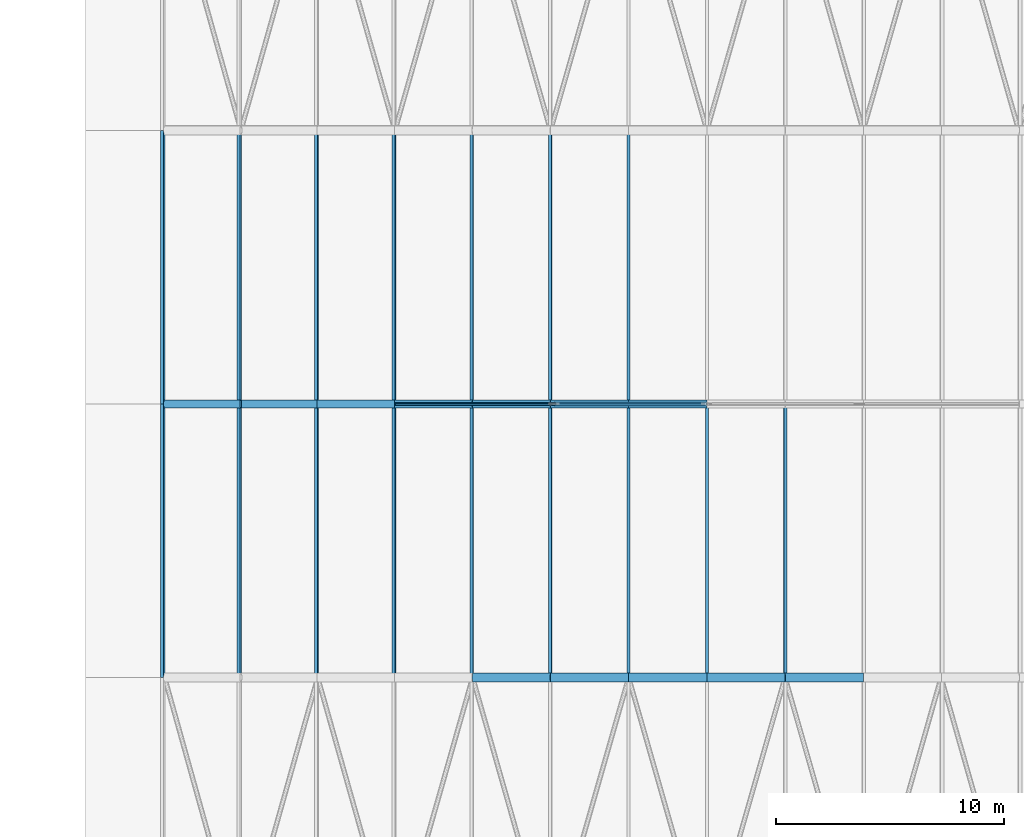
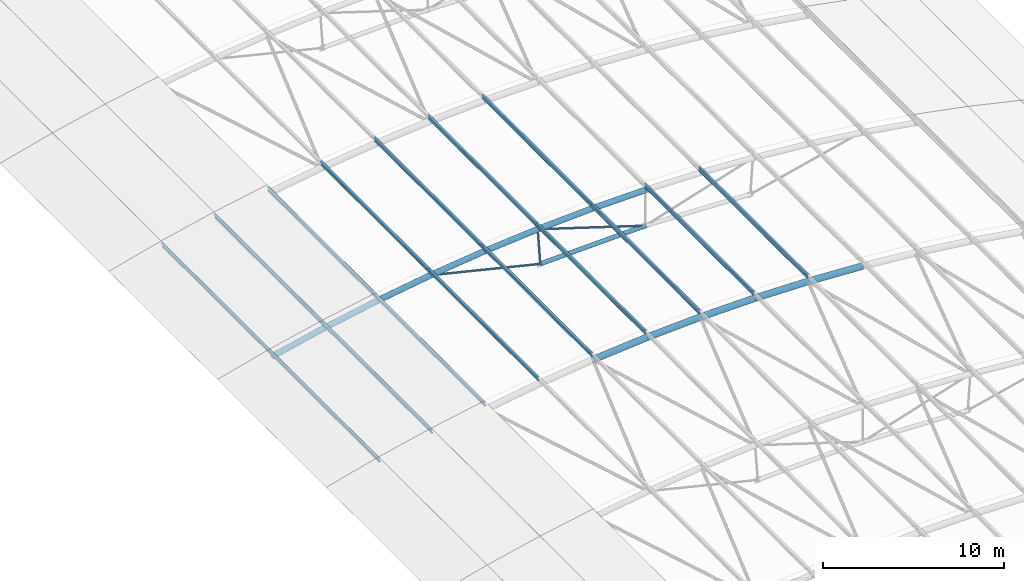
# One storey, part 14 of 91: 32 members.
"""IFC4 building model written with IfcOpenShell, lengths in metres."""

from ifc_helpers import new_model, si_unit, direction, frame, origin, origin_2d, place, context, subcontext, project, spatial, hollow_circle, i_section, extrude, material, material_profile, profile_set, type_object, element, save


model = new_model("IFC4")

# Units and contexts
model_context = context("Model", 3, precision=1e-05, world=origin(), true_north=direction((0.0, 1.0)))
body_context = subcontext(model_context, "Body", "Model", "MODEL_VIEW")
ifc_project = project(units=[si_unit("LENGTHUNIT", "METRE"), si_unit("AREAUNIT", "SQUARE_METRE"), si_unit("VOLUMEUNIT", "CUBIC_METRE"), si_unit("PLANEANGLEUNIT", "RADIAN"), si_unit("MASSUNIT", "GRAM", prefix="KILO")], contexts=[model_context])

# Site, building, storey
site_placement = place(None, origin())
site = spatial("IfcSite", under=ifc_project, at=site_placement, CompositionType="ELEMENT")
building_placement = place(site_placement, origin())
building = spatial("IfcBuilding", under=site, at=building_placement, Name="Ravi Spectrum Wholesale Market", CompositionType="ELEMENT")
storey_placement = place(building_placement, frame((0.0, 0.0, 16.199951171875)))
storey = spatial("IfcBuildingStorey", under=building, at=storey_placement, Name="ROOF PLANT LEVEL", CompositionType="ELEMENT", Elevation=16.199951171875)

# Members
ifc_material_1 = material(Name="Steel S355", Category="steel")
ifc_material_profile_1 = material_profile(ifc_material_1, hollow_circle(Radius=0.06982421875, WallThickness=0.0048828125, at=origin_2d()))
ifc_profile_set_1 = profile_set([ifc_material_profile_1], Name="Steel S355")
member_type_1 = type_object("IfcMemberType", Name="CHS 139.7x5 brace", PredefinedType="BRACE", material=ifc_profile_set_1)
member_1_placement = place(storey_placement, frame((56.318115234375, 138.0, 2.079833984375), z_axis=(0.97214359809, 0.0, -0.234386059083), x_axis=(0.0, 1.0, 0.0)))
element("IfcMember", 1, at=member_1_placement, inside=storey, type_object=member_type_1, Name="H1-MB-L02-798", PredefinedType="BRACE", context=body_context, shape_type="SweptSolid", body=[
    extrude(hollow_circle(Radius=0.06982421875, WallThickness=0.0048828125, at=origin_2d()), origin(), (0.0, 0.0, 1.0), 7.190185546875),
])
member_2_placement = place(storey_placement, frame((63.142822265625, 138.0, 2.788818359375), z_axis=(0.953666273238, 0.0, -0.300866480833), x_axis=(0.0, 1.0, 0.0)))
element("IfcMember", 2, at=member_2_placement, inside=storey, type_object=member_type_1, Name="H1-MB-L02-799", PredefinedType="BRACE", context=body_context, shape_type="SweptSolid", body=[
    extrude(hollow_circle(Radius=0.06982421875, WallThickness=0.0048828125, at=origin_2d()), origin(), (0.0, 0.0, 1.0), 7.1904296875),
])
ifc_material_2 = material(Name="Steel S355", Category="steel")
ifc_material_profile_2 = material_profile(ifc_material_2, hollow_circle(Radius=0.06982421875, WallThickness=0.0048828125, at=origin_2d()))
ifc_profile_set_2 = profile_set([ifc_material_profile_2], Name="Steel S355")
member_type_2 = type_object("IfcMemberType", Name="CHS 139.7x5 post", PredefinedType="POST", material=ifc_profile_set_2)
member_3_placement = place(storey_placement, frame((63.142822265625, 138.0, 2.788818359375), z_axis=(0.068868423963, 0.0, -0.997625751563), x_axis=(0.0, 1.0, 0.0)))
element("IfcMember", 3, at=member_3_placement, inside=storey, type_object=member_type_2, Name="H1-MB-L02-788", PredefinedType="POST", context=body_context, shape_type="SweptSolid", body=[
    extrude(hollow_circle(Radius=0.06982421875, WallThickness=0.0048828125, at=origin_2d()), origin(), (0.0, 0.0, 1.0), 2.39990234375),
])
ifc_material_3 = material(Name="Steel S355", Category="steel")
ifc_material_profile_3 = material_profile(ifc_material_3, hollow_circle(Radius=0.136474609375, WallThickness=0.010009765625, at=origin_2d()))
ifc_profile_set_3 = profile_set([ifc_material_profile_3], Name="Steel S355")
member_type_3 = type_object("IfcMemberType", Name="CHS 273x10 chord", PredefinedType="CHORD", material=ifc_profile_set_3)
member_4_placement = place(storey_placement, frame((63.30810546875, 138.0, 0.39453125), z_axis=(0.999404959621, 0.0, 0.034492414878), x_axis=(0.0, 1.0, 0.0)))
element("IfcMember", 4, at=member_4_placement, inside=storey, type_object=member_type_3, Name="H1-MB-L02-777", PredefinedType="CHORD", context=body_context, shape_type="SweptSolid", body=[
    extrude(hollow_circle(Radius=0.136474609375, WallThickness=0.010009765625, at=origin_2d()), origin(), (0.0, 0.0, 1.0), 6.69580078125),
])
ifc_material_4 = material(Name="Steel S355", Category="steel")
ifc_material_profile_4 = material_profile(ifc_material_4, hollow_circle(Radius=0.177734375, WallThickness=0.012451171875, at=origin_2d()))
ifc_profile_set_4 = profile_set([ifc_material_profile_4], Name="Steel S355")
member_type_4 = type_object("IfcMemberType", Name="CHS 355.6x12.5 chord", PredefinedType="CHORD", material=ifc_profile_set_4)
member_5_placement = place(storey_placement, frame((46.213134765625, 138.0, 0.13916015625), z_axis=(0.974952916083, 0.0, 0.222411356322), x_axis=(0.0, 1.0, 0.0)))
element("IfcMember", 5, at=member_5_placement, inside=storey, type_object=member_type_4, Name="H1-MB-L02-753", PredefinedType="CHORD", context=body_context, shape_type="SweptSolid", body=[
    extrude(hollow_circle(Radius=0.177734375, WallThickness=0.012451171875, at=origin_2d()), origin(), (0.0, 0.0, 1.0), 3.431396484375),
])
for number, where, z_axis, x_axis, name in (
    (6, (49.55859375, 138.0, 0.90234375), (0.982062230733, 0.0, 0.188557086759), (0.0, 1.0, 0.0), "H1-MB-L02-754"),
    (7, (52.92822265625, 138.0, 1.54931640625), (0.987974358509, 0.0, 0.154617809221), (0.0, 1.0, 0.0), "H1-MB-L02-755"),
    (8, (56.318115234375, 138.0, 2.079833984375), (0.992718062095, 0.0, 0.120460986176), (0.0, 1.0, 0.0), "H1-MB-L02-756"),
    (9, (59.724365234375, 138.0, 2.4931640625), (0.996280795756, 0.0, 0.086165979407), (0.0, 1.0, 0.0), "H1-MB-L02-757"),
    (10, (63.142822265625, 138.0, 2.788818359375), (0.998661121681, 0.0, 0.051729721087), (0.0, 1.0, 0.0), "H1-MB-L02-758"),
    (11, (66.5693359375, 138.0, 2.96630859375), (0.99985173868, 0.0, 0.017219194475), (0.0, 1.0, 0.0), "H1-MB-L02-759"),
):
    element("IfcMember", number, at=place(storey_placement, frame(where, z_axis=z_axis, x_axis=x_axis)), inside=storey, type_object=member_type_4, Name=name, PredefinedType="CHORD", context=body_context, shape_type="SweptSolid", body=[
        extrude(hollow_circle(Radius=0.177734375, WallThickness=0.012451171875, at=origin_2d()), origin(), (0.0, 0.0, 1.0), 3.43115234375),
    ])
ifc_material_5 = material(Name="Steel S355", Category="steel")
ifc_material_profile_5 = material_profile(ifc_material_5, hollow_circle(Radius=0.203125, WallThickness=0.01611328125, at=origin_2d()))
ifc_profile_set_5 = profile_set([ifc_material_profile_5], Name="Steel S355")
member_type_5 = type_object("IfcMemberType", Name="CHS 406.4x16 chord", PredefinedType="CHORD", material=ifc_profile_set_5)
for number, where, z_axis, x_axis, name in (
    (12, (59.726806640625, 126.0, 2.468017578125), (0.99628531868, 0.0, 0.086113667805), (0.0, 1.0, 0.0), "H1-MB-L02-658"),
    (13, (63.14453125, 126.0, 2.763427734375), (0.998660550273, 0.0, 0.051740751144), (0.0, 1.0, 0.0), "H1-MB-L02-659"),
):
    element("IfcMember", number, at=place(storey_placement, frame(where, z_axis=z_axis, x_axis=x_axis)), inside=storey, type_object=member_type_5, Name=name, PredefinedType="CHORD", context=body_context, shape_type="SweptSolid", body=[
        extrude(hollow_circle(Radius=0.203125, WallThickness=0.01611328125, at=origin_2d()), origin(), (0.0, 0.0, 1.0), 3.430419921875),
    ])
for number, where, z_axis, x_axis, name in (
    (14, (66.5703125, 126.0, 2.94091796875), (0.999851654256, 0.0, 0.01722409598), (0.0, 1.0, 0.0), "H1-MB-L02-660"),
    (15, (70.0, 126.0, 3.0), (0.999851654256, 0.0, -0.01722409598), (0.0, 1.0, 0.0), "H1-MB-L02-661"),
):
    element("IfcMember", number, at=place(storey_placement, frame(where, z_axis=z_axis, x_axis=x_axis)), inside=storey, type_object=member_type_5, Name=name, PredefinedType="CHORD", context=body_context, shape_type="SweptSolid", body=[
        extrude(hollow_circle(Radius=0.203125, WallThickness=0.01611328125, at=origin_2d()), origin(), (0.0, 0.0, 1.0), 3.43017578125),
    ])
member_6_placement = place(storey_placement, frame((73.4296875, 126.0, 2.94091796875), z_axis=(0.998660550273, 0.0, -0.051740751144), x_axis=(0.0, 1.0, 0.0)))
element("IfcMember", 16, at=member_6_placement, inside=storey, type_object=member_type_5, Name="H1-MB-L02-662", PredefinedType="CHORD", context=body_context, shape_type="SweptSolid", body=[
    extrude(hollow_circle(Radius=0.203125, WallThickness=0.01611328125, at=origin_2d()), origin(), (0.0, 0.0, 1.0), 3.430419921875),
])
ifc_material_6 = material(Name="Steel S355", Category="steel")
ifc_material_profile_6 = material_profile(ifc_material_6, i_section(OverallWidth=0.135009765625, OverallDepth=0.27001953125, WebThickness=0.006591796875, FlangeThickness=0.01025390625, at=origin_2d()))
ifc_profile_set_6 = profile_set([ifc_material_profile_6], Name="Steel S355")
member_type_6 = type_object("IfcMemberType", Name="IPE 270 purlin", PredefinedType="PURLIN", material=ifc_profile_set_6)
for number, where, z_axis, x_axis, name in (
    (17, (46.138427734375, 126.0, 0.44287109375), (0.0, 1.0, 0.0), (-0.970982506107, 0.0, -0.239150523382), "H1-MB-L02-1439"),
    (18, (49.494140625, 126.0, 1.208251953125), (0.0, 1.0, 0.0), (-0.978653497036, 0.0, -0.205517232221), "H1-MB-L02-1440"),
    (19, (52.87451171875, 126.0, 1.857666015625), (0.0, 1.0, 0.0), (-0.985159848831, 0.0, -0.171639366844), "H1-MB-L02-1441"),
    (20, (56.275146484375, 126.0, 2.3896484375), (0.0, 1.0, 0.0), (-0.99049381866, 0.0, -0.137557243347), "H1-MB-L02-1442"),
    (21, (59.69189453125, 126.0, 2.804443359375), (0.0, 1.0, 0.0), (-0.994649057067, 0.0, -0.103311438261), "H1-MB-L02-1443"),
    (22, (63.12109375, 126.0, 3.100830078125), (0.0, 1.0, 0.0), (-0.997620623348, 0.0, -0.068942670899), "H1-MB-L02-1444"),
    (23, (66.55859375, 126.0, 3.27880859375), (0.0, 1.0, 0.0), (-0.999404978812, 0.0, -0.034491858836), "H1-MB-L02-1445"),
    (24, (70.0, 126.0, 3.338134765625), (0.0, 1.0, 0.0), (-1.0, 0.0, 0.0), "H1-MB-L02-1446"),
    (25, (73.44140625, 126.0, 3.27880859375), (0.0, 1.0, 0.0), (-0.999404978812, 0.0, 0.034491858836), "H1-MB-L02-1447"),
    (26, (46.138427734375, 138.0, 0.44287109375), (0.0, 1.0, 0.0), (-0.970982506107, 0.0, -0.239150523382), "H1-MB-L02-1464"),
    (27, (49.494140625, 138.0, 1.208251953125), (0.0, 1.0, 0.0), (-0.978653497036, 0.0, -0.205517232221), "H1-MB-L02-1465"),
    (28, (52.87451171875, 138.0, 1.857666015625), (0.0, 1.0, 0.0), (-0.985159848831, 0.0, -0.171639366844), "H1-MB-L02-1466"),
    (29, (56.275146484375, 138.0, 2.3896484375), (0.0, 1.0, 0.0), (-0.99049381866, 0.0, -0.137557243347), "H1-MB-L02-1467"),
    (30, (59.69189453125, 138.0, 2.804443359375), (0.0, 1.0, 0.0), (-0.994649057067, 0.0, -0.103311438261), "H1-MB-L02-1468"),
    (31, (63.12109375, 138.0, 3.100830078125), (0.0, 1.0, 0.0), (-0.997620623348, 0.0, -0.068942670899), "H1-MB-L02-1469"),
    (32, (66.55859375, 138.0, 3.27880859375), (0.0, 1.0, 0.0), (-0.999404978812, 0.0, -0.034491858836), "H1-MB-L02-1470"),
):
    element("IfcMember", number, at=place(storey_placement, frame(where, z_axis=z_axis, x_axis=x_axis)), inside=storey, type_object=member_type_6, Name=name, PredefinedType="PURLIN", context=body_context, shape_type="SweptSolid", body=[
        extrude(i_section(OverallWidth=0.135009765625, OverallDepth=0.27001953125, WebThickness=0.006591796875, FlangeThickness=0.01025390625, at=origin_2d()), origin(), (0.0, 0.0, 1.0), 12.0),
    ])

save(model, "model.ifc")
